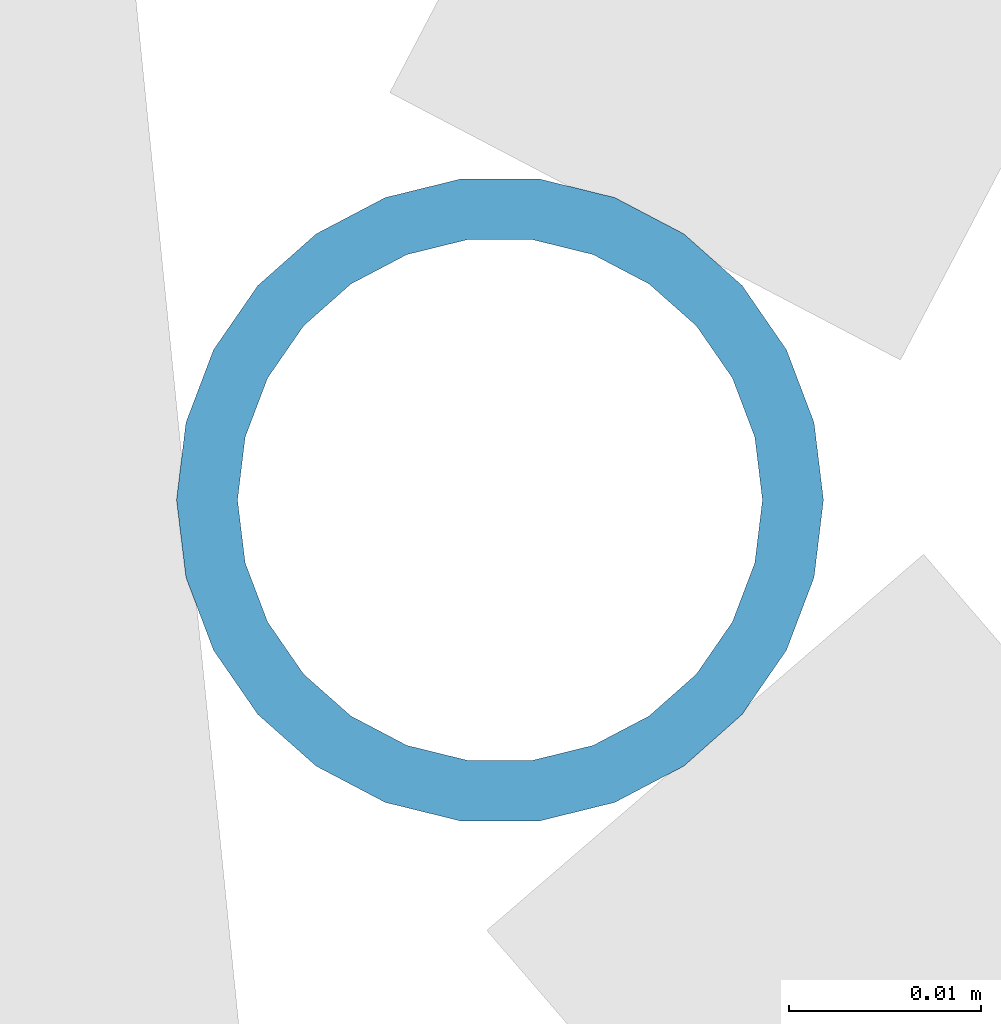
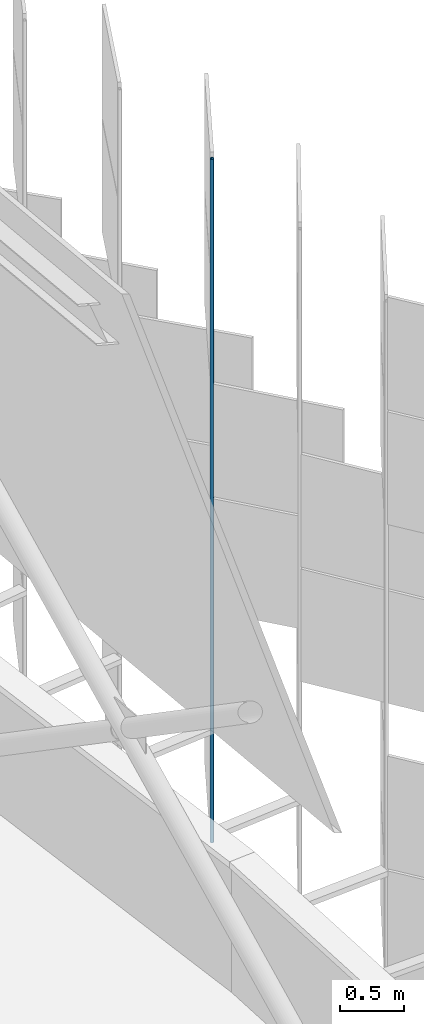
# One storey, part 291 of 483: 1 discrete accessory.
"""IFC4 building model written with IfcOpenShell, lengths in metres."""

from ifc_helpers import new_model, si_unit, direction, frame, origin, origin_2d, place, context, subcontext, project, spatial, hollow_circle, extrude, material, material_profile, profile_set, type_object, element, save


model = new_model("IFC4")

# Units and contexts
model_context = context("Model", 3, precision=1e-05, world=origin(), true_north=direction((0.0, 1.0)))
body_context = subcontext(model_context, "Body", "Model", "MODEL_VIEW")
ifc_project = project(units=[si_unit("LENGTHUNIT", "METRE"), si_unit("AREAUNIT", "SQUARE_METRE"), si_unit("VOLUMEUNIT", "CUBIC_METRE"), si_unit("PLANEANGLEUNIT", "RADIAN"), si_unit("MASSUNIT", "GRAM", prefix="KILO")], contexts=[model_context])

# Site, building, storey
site_placement = place(None, origin())
site = spatial("IfcSite", under=ifc_project, at=site_placement, CompositionType="ELEMENT")
building_placement = place(site_placement, origin())
building = spatial("IfcBuilding", under=site, at=building_placement, Name="Parallax Yard Mobility Hub", CompositionType="ELEMENT")
storey_placement = place(building_placement, frame((0.0, 0.0, 13.199951171875)))
storey = spatial("IfcBuildingStorey", under=building, at=storey_placement, Name="L04", CompositionType="ELEMENT", Elevation=13.199951171875)

# Discrete accessory
ifc_material = material(Name="Steel ASTM A500 Gr C, hot-dip galvanised", Category="steel")
ifc_material_profile = material_profile(ifc_material, hollow_circle(Radius=0.016845703125, WallThickness=0.003173828125, at=origin_2d()), Name="CHS 33.7x3.2")
ifc_profile_set = profile_set([ifc_material_profile], Name="Steel ASTM A500 Gr C, hot-dip galvanised")
discrete_accessory_type = type_object("IfcDiscreteAccessoryType", Name="Hinge post CHS 33.7x3.2", PredefinedType="BRACKET", material=ifc_profile_set)
discrete_accessory_placement = place(storey_placement, frame((225.48779296875, 95.964599609375, 0.0), z_axis=(0.0, 0.0, 1.0), x_axis=(1.0, 0.0, 0.0)))
element("IfcDiscreteAccessory", 1, at=discrete_accessory_placement, inside=storey, type_object=discrete_accessory_type, Name="Hinge post bay 41.6 level L04", PredefinedType="BRACKET", context=body_context, shape_type="SweptSolid", body=[
    extrude(hollow_circle(Radius=0.016845703125, WallThickness=0.003173828125, at=origin_2d()), origin(), (0.0, 0.0, 1.0), 6.550048828125),
])

save(model, "model.ifc")
